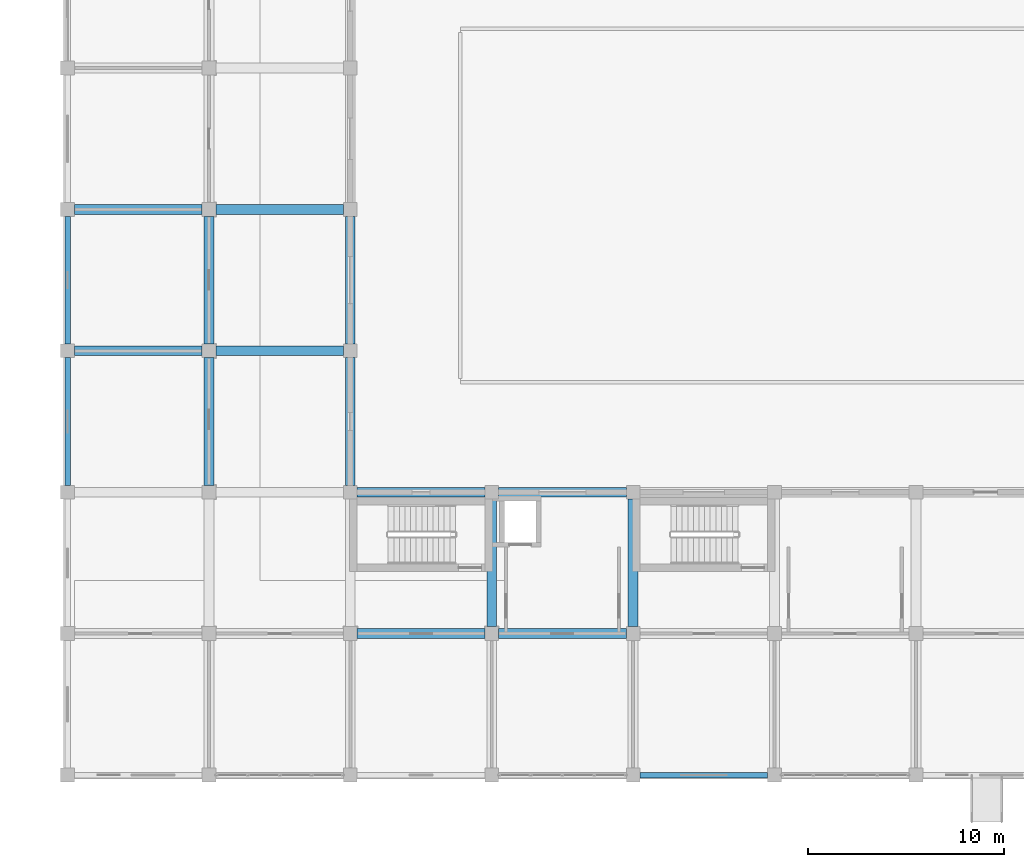
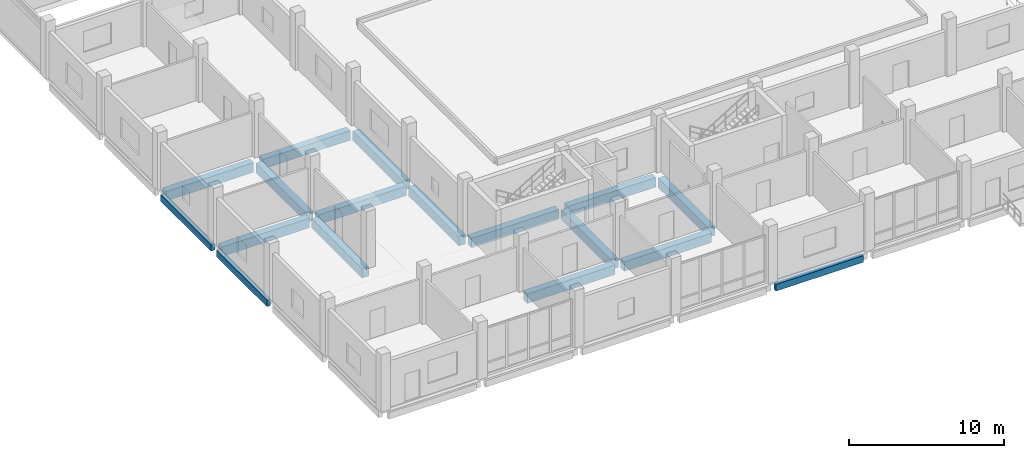
# One storey, part 22 of 139: 17 beams.
"""IFC4 building model written with IfcOpenShell, lengths in metres."""

from ifc_helpers import new_model, si_unit, direction, frame, origin, origin_2d, place, context, subcontext, project, spatial, rectangle, extrude, material, material_profile, profile_set, type_object, element, save


model = new_model("IFC4")

# Units and contexts
model_context = context("Model", 3, precision=1e-05, world=origin(), true_north=direction((0.0, 1.0)))
body_context = subcontext(model_context, "Body", "Model", "MODEL_VIEW")
ifc_project = project(units=[si_unit("LENGTHUNIT", "METRE"), si_unit("AREAUNIT", "SQUARE_METRE"), si_unit("VOLUMEUNIT", "CUBIC_METRE"), si_unit("PLANEANGLEUNIT", "RADIAN"), si_unit("MASSUNIT", "GRAM", prefix="KILO")], contexts=[model_context])

# Site, building, storey
site_placement = place(None, origin())
site = spatial("IfcSite", under=ifc_project, at=site_placement, CompositionType="ELEMENT")
building_placement = place(site_placement, origin())
building = spatial("IfcBuilding", under=site, at=building_placement, Name="Suanplinth Sawtooth Commons", CompositionType="ELEMENT")
storey_placement = place(building_placement, origin())
storey = spatial("IfcBuildingStorey", under=building, at=storey_placement, Name="L00", CompositionType="ELEMENT", Elevation=0.0)

# Beams
ifc_material_1 = material(Name="Concrete C40/50", Category="concrete")
ifc_material_profile_1 = material_profile(ifc_material_1, rectangle(XDim=0.5, YDim=0.75, at=origin_2d()), Name="RC-GDR 500x750")
ifc_profile_set_1 = profile_set([ifc_material_profile_1], Name="Concrete C40/50")
beam_type_1 = type_object("IfcBeamType", Name="B-03", PredefinedType="USERDEFINED", material=ifc_profile_set_1)
for number, where, z_axis, x_axis, name in (
    (1, (0.35009765625, 21.60009765625, -0.784912109375), (1.0, 0.0, 0.0), (0.0, 1.0, 0.0), "BMX-L00-D-0-3"),
    (2, (0.35009765625, 28.800048828125, -0.784912109375), (1.0, 0.0, 0.0), (0.0, 1.0, 0.0), "BMX-L00-D-0-4"),
    (3, (7.550048828125, 21.60009765625, -0.784912109375), (1.0, 0.0, 0.0), (0.0, 1.0, 0.0), "BMX-L00-D-1-3"),
    (4, (7.550048828125, 28.800048828125, -0.784912109375), (1.0, 0.0, 0.0), (0.0, 1.0, 0.0), "BMX-L00-D-1-4"),
    (5, (14.75, 7.199951171875, -0.784912109375), (1.0, 0.0, 0.0), (0.0, 1.0, 0.0), "BMX-L00-D-2-1"),
    (6, (14.75, 14.39990234375, -0.784912109375), (1.0, 0.0, 0.0), (0.0, 1.0, 0.0), "BMX-L00-D-2-2"),
    (7, (21.949951171875, 7.199951171875, -0.784912109375), (1.0, 0.0, 0.0), (0.0, 1.0, 0.0), "BMX-L00-D-3-1"),
    (8, (21.949951171875, 14.39990234375, -0.784912109375), (1.0, 0.0, 0.0), (0.0, 1.0, 0.0), "BMX-L00-D-3-2"),
    (9, (7.199951171875, 14.75, -0.784912109375), (0.0, 1.0, 0.0), (-1.0, 0.0, 0.0), "BMY-L00-D-1-2"),
    (10, (7.199951171875, 21.949951171875, -0.784912109375), (0.0, 1.0, 0.0), (-1.0, 0.0, 0.0), "BMY-L00-D-1-3"),
    (11, (14.39990234375, 14.75, -0.784912109375), (0.0, 1.0, 0.0), (-1.0, 0.0, 0.0), "BMY-L00-D-2-2"),
    (12, (14.39990234375, 21.949951171875, -0.784912109375), (0.0, 1.0, 0.0), (-1.0, 0.0, 0.0), "BMY-L00-D-2-3"),
    (13, (21.60009765625, 7.550048828125, -0.784912109375), (0.0, 1.0, 0.0), (-1.0, 0.0, 0.0), "BMY-L00-D-3-1"),
    (14, (28.800048828125, 7.550048828125, -0.784912109375), (0.0, 1.0, 0.0), (-1.0, 0.0, 0.0), "BMY-L00-D-4-1"),
):
    element("IfcBeam", number, at=place(storey_placement, frame(where, z_axis=z_axis, x_axis=x_axis)), inside=storey, type_object=beam_type_1, Name=name, ObjectType="GIRDER", PredefinedType="USERDEFINED", context=body_context, shape_type="SweptSolid", body=[
        extrude(rectangle(XDim=0.5, YDim=0.75, at=origin_2d()), origin(), (0.0, 0.0, 1.0), 6.5),
    ])
ifc_material_2 = material(Name="Precast concrete C40/50", Category="concrete")
ifc_material_profile_2 = material_profile(ifc_material_2, rectangle(XDim=0.280029296875, YDim=0.52001953125, at=origin_2d()), Name="PC-SP 280x520")
ifc_profile_set_2 = profile_set([ifc_material_profile_2], Name="Precast concrete C40/50")
beam_type_2 = type_object("IfcBeamType", Name="B-08", PredefinedType="SPANDREL", material=ifc_profile_set_2)
for number, where, z_axis, x_axis, name in (
    (15, (29.14990234375, 0.0, -0.669921875), (1.0, 0.0, 0.0), (0.0, 1.0, 0.0), "BMX-L00-D-4-0"),
    (16, (0.0, 14.75, -0.669921875), (0.0, 1.0, 0.0), (-1.0, 0.0, 0.0), "BMY-L00-D-0-2"),
    (17, (0.0, 21.949951171875, -0.669921875), (0.0, 1.0, 0.0), (-1.0, 0.0, 0.0), "BMY-L00-D-0-3"),
):
    element("IfcBeam", number, at=place(storey_placement, frame(where, z_axis=z_axis, x_axis=x_axis)), inside=storey, type_object=beam_type_2, Name=name, PredefinedType="SPANDREL", context=body_context, shape_type="SweptSolid", body=[
        extrude(rectangle(XDim=0.280029296875, YDim=0.52001953125, at=origin_2d()), origin(), (0.0, 0.0, 1.0), 6.5),
    ])

save(model, "model.ifc")
